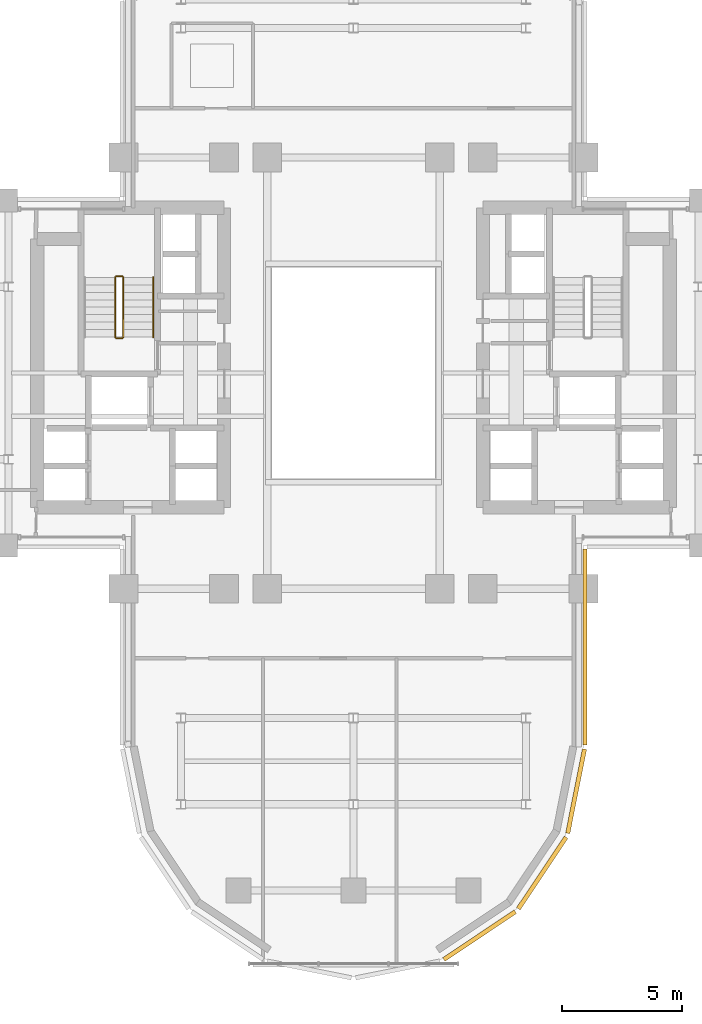
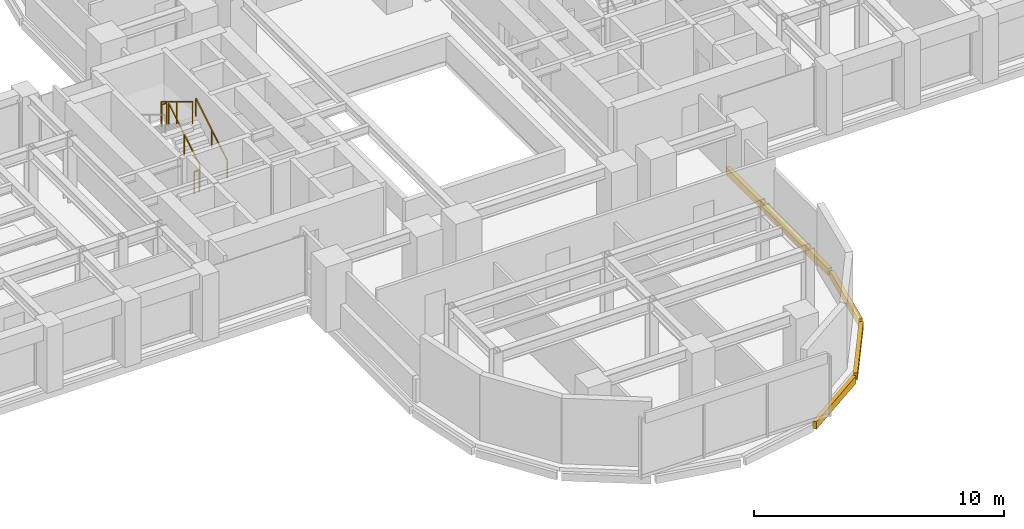
# One storey, part 14 of 16: 5 railings, 4 coverings.
"""IFC4 building model written with IfcOpenShell, lengths in metres."""

from ifc_helpers import new_model, si_unit, direction, frame, origin, origin_2d, place, context, subcontext, project, spatial, rectangle, extrude, source, transform, mapped, material, layer, layer_set, type_object, element, save


model = new_model("IFC4")

# Units and contexts
model_context = context("Model", 3, precision=1e-05, world=origin(), true_north=direction((0.0, 1.0)))
body_context = subcontext(model_context, "Body", "Model", "MODEL_VIEW")
ifc_project = project(units=[si_unit("LENGTHUNIT", "METRE"), si_unit("AREAUNIT", "SQUARE_METRE"), si_unit("VOLUMEUNIT", "CUBIC_METRE"), si_unit("PLANEANGLEUNIT", "RADIAN"), si_unit("MASSUNIT", "GRAM", prefix="KILO")], contexts=[model_context])

# Site, building, storey
site_placement = place(None, origin())
site = spatial("IfcSite", under=ifc_project, at=site_placement, CompositionType="ELEMENT")
building_placement = place(site_placement, origin())
building = spatial("IfcBuilding", under=site, at=building_placement, Name="Keilestroom Media Tower", CompositionType="ELEMENT")
storey_placement = place(building_placement, frame((0.0, 0.0, 51.0)))
storey = spatial("IfcBuildingStorey", under=building, at=storey_placement, Name="L12", CompositionType="ELEMENT", Elevation=51.0)

# Railings
ifc_material_1 = material(Name="Brushed Stainless Steel 1.4301", Category="steel")
railing_type_1 = type_object("IfcRailingType", Name="Stair-Pitch-Handrail-920", PredefinedType="HANDRAIL", material=ifc_material_1)
railing_1_placement = place(storey_placement, frame((-8.35009765625, 1.5, 0.18896484375)))
element("IfcRailing", 1, at=railing_1_placement, inside=storey, type_object=railing_type_1, Name="L12 ST-1 stair handrail 1", PredefinedType="HANDRAIL", context=body_context, shape_type="SweptSolid", body=[
    extrude(rectangle(XDim=0.048095703125, YDim=0.048095703125, at=origin_2d()), frame((0.0, 0.0, 0.8759765625), z_axis=(0.0, 0.855470815493, 0.517851024754), x_axis=(-1.0, 0.0, 0.0)), (0.0, 0.0, 1.0), 2.917724609375),
    extrude(rectangle(XDim=0.0419921875, YDim=0.0419921875, at=origin_2d()), origin(), (0.0, 0.0, 1.0), 0.84375),
    extrude(rectangle(XDim=0.0419921875, YDim=0.0419921875, at=origin_2d()), frame((0.0, 1.248046875, 0.75537109375)), (0.0, 0.0, 1.0), 0.84375),
    extrude(rectangle(XDim=0.0419921875, YDim=0.0419921875, at=origin_2d()), frame((0.0, 2.49609375, 1.510986328125)), (0.0, 0.0, 1.0), 0.84375),
])
ifc_material_2 = material(Name="Painted Steel Balustrade", Category="steel")
railing_type_2 = type_object("IfcRailingType", Name="Stair-Well-And-Landing-Guard-1100", PredefinedType="GUARDRAIL", material=ifc_material_2)
railing_2_placement = place(storey_placement, frame((-9.610107421875, 1.5, 0.18896484375)))
element("IfcRailing", 2, at=railing_2_placement, inside=storey, type_object=railing_type_2, Name="L12 ST-1 stair guard 1", PredefinedType="GUARDRAIL", context=body_context, shape_type="SweptSolid", body=[
    extrude(rectangle(XDim=0.048095703125, YDim=0.048095703125, at=origin_2d()), frame((0.0, 0.0, 1.076171875), z_axis=(0.0, 0.855470815493, 0.517851024754), x_axis=(-1.0, 0.0, 0.0)), (0.0, 0.0, 1.0), 2.917724609375),
    extrude(rectangle(XDim=0.0419921875, YDim=0.0419921875, at=origin_2d()), origin(), (0.0, 0.0, 1.0), 1.0439453125),
    extrude(rectangle(XDim=0.0419921875, YDim=0.0419921875, at=origin_2d()), frame((0.0, 1.248046875, 0.75537109375)), (0.0, 0.0, 1.0), 1.0439453125),
    extrude(rectangle(XDim=0.0419921875, YDim=0.0419921875, at=origin_2d()), frame((0.0, 2.49609375, 1.510986328125)), (0.0, 0.0, 1.0), 1.0439453125),
])
railing_3_placement = place(storey_placement, frame((-9.659912109375, 4.0458984375, 1.699951171875)))
element("IfcRailing", 3, at=railing_3_placement, inside=storey, type_object=railing_type_2, Name="L12 ST-1 stair guard 2", PredefinedType="GUARDRAIL", context=body_context, shape_type="SweptSolid", body=[
    extrude(rectangle(XDim=0.048095703125, YDim=0.048095703125, at=origin_2d()), frame((0.0, 0.0, 1.076171875), z_axis=(-1.0, 0.0, 0.0), x_axis=(0.0, -1.0, 0.0)), (0.0, 0.0, 1.0), 0.239990234375),
    extrude(rectangle(XDim=0.0419921875, YDim=0.0419921875, at=origin_2d()), origin(), (0.0, 0.0, 1.0), 1.0439453125),
    extrude(rectangle(XDim=0.0419921875, YDim=0.0419921875, at=origin_2d()), frame((-0.239990234375, 0.0, 0.0)), (0.0, 0.0, 1.0), 1.0439453125),
])
railing_4_placement = place(storey_placement, frame((-9.949951171875, 3.99609375, 1.888916015625)))
element("IfcRailing", 4, at=railing_4_placement, inside=storey, type_object=railing_type_2, Name="L12 ST-1 stair guard 3", PredefinedType="GUARDRAIL", context=body_context, shape_type="SweptSolid", body=[
    extrude(rectangle(XDim=0.048095703125, YDim=0.048095703125, at=origin_2d()), frame((0.0, 0.0, 1.076171875), z_axis=(0.0, -0.855470815493, 0.517851024754), x_axis=(1.0, 0.0, 0.0)), (0.0, 0.0, 1.0), 2.917724609375),
    extrude(rectangle(XDim=0.0419921875, YDim=0.0419921875, at=origin_2d()), origin(), (0.0, 0.0, 1.0), 1.0439453125),
    extrude(rectangle(XDim=0.0419921875, YDim=0.0419921875, at=origin_2d()), frame((0.0, -1.248046875, 0.75537109375)), (0.0, 0.0, 1.0), 1.0439453125),
    extrude(rectangle(XDim=0.0419921875, YDim=0.0419921875, at=origin_2d()), frame((0.0, -2.49609375, 1.510986328125)), (0.0, 0.0, 1.0), 1.0439453125),
])
railing_5_placement = place(storey_placement, frame((-9.659912109375, 1.449951171875, 0.0)))
element("IfcRailing", 5, at=railing_5_placement, inside=storey, type_object=railing_type_2, Name="L12 ST-1 stair guard 4", PredefinedType="GUARDRAIL", context=body_context, shape_type="SweptSolid", body=[
    extrude(rectangle(XDim=0.048095703125, YDim=0.048095703125, at=origin_2d()), frame((0.0, 0.0, 1.076171875), z_axis=(-1.0, 0.0, 0.0), x_axis=(0.0, -1.0, 0.0)), (0.0, 0.0, 1.0), 0.239990234375),
    extrude(rectangle(XDim=0.0419921875, YDim=0.0419921875, at=origin_2d()), origin(), (0.0, 0.0, 1.0), 1.0439453125),
    extrude(rectangle(XDim=0.0419921875, YDim=0.0419921875, at=origin_2d()), frame((-0.239990234375, 0.0, 0.0)), (0.0, 0.0, 1.0), 1.0439453125),
])

# Coverings
ifc_material_3 = material(Name="Precast concrete C40/50", Category="concrete")
ifc_layer = layer(ifc_material_3, 0.1201171875)
ifc_layer_set = layer_set([ifc_layer], Name="Precast concrete C40/50")
covering_type = type_object("IfcCoveringType", Name="Exterior-Precast-Spandrel-Cladding-Panel-120", PredefinedType="CLADDING", material=ifc_layer_set)
shared_shape_1 = source(origin(), body_context, "Body", "SweptSolid", [
    extrude(rectangle(XDim=8.166015625, YDim=0.179931640625, at=origin_2d()), origin(), (0.0, 0.0, 1.0), 0.360107421875),
])
covering_1_placement = place(storey_placement, frame((9.659912109375, -11.43310546875, -0.5400390625), z_axis=(0.0, 0.0, 1.0), x_axis=(0.0, -1.0, 0.0)))
element("IfcCovering", 6, at=covering_1_placement, inside=storey, type_object=covering_type, Name="L12 Precast Slab-Edge Fascia Cornice 06", PredefinedType="CLADDING", context=body_context, shape_type="MappedRepresentation", body=[
    mapped(shared_shape_1, transform((0.0, 0.0, 0.0), x_axis=(1.0, 0.0, 0.0), y_axis=(0.0, 1.0, 0.0), z_axis=(0.0, 0.0, 1.0), scale=1.0)),
])
shared_shape_2 = source(origin(), body_context, "Body", "SweptSolid", [
    extrude(rectangle(XDim=3.58349609375, YDim=0.179931640625, at=origin_2d()), origin(), (0.0, 0.0, 1.0), 0.360107421875),
])
covering_2_placement = place(storey_placement, frame((9.29296875, -17.45166015625, -0.5400390625), z_axis=(0.0, 0.0, 1.0), x_axis=(-0.195098880975, -0.980783577882, 0.0)))
element("IfcCovering", 7, at=covering_2_placement, inside=storey, type_object=covering_type, Name="L12 Precast Slab-Edge Fascia Cornice 07", PredefinedType="CLADDING", context=body_context, shape_type="MappedRepresentation", body=[
    mapped(shared_shape_2, transform((0.0, 0.0, 0.0), x_axis=(1.0, 0.0, 0.0), y_axis=(0.0, 1.0, 0.0), z_axis=(0.0, 0.0, 1.0), scale=1.0)),
])
shared_shape_3 = source(origin(), body_context, "Body", "SweptSolid", [
    extrude(rectangle(XDim=3.589599609375, YDim=0.179931640625, at=origin_2d()), origin(), (0.0, 0.0, 1.0), 0.360107421875),
])
for number, where, z_axis, x_axis, name in (
    (8, (7.878662109375, -20.8642578125, -0.5400390625), (0.0, 0.0, 1.0), (-0.555574586577, -0.831466703332, 0.0), "L12 Precast Slab-Edge Fascia Cornice 08"),
    (9, (5.264404296875, -23.478515625, -0.5400390625), (0.0, 0.0, 1.0), (-0.831466703332, -0.555574586577, 0.0), "L12 Precast Slab-Edge Fascia Cornice 09"),
):
    element("IfcCovering", number, at=place(storey_placement, frame(where, z_axis=z_axis, x_axis=x_axis)), inside=storey, type_object=covering_type, Name=name, PredefinedType="CLADDING", context=body_context, shape_type="MappedRepresentation", body=[
        mapped(shared_shape_3, transform((0.0, 0.0, 0.0), x_axis=(1.0, 0.0, 0.0), y_axis=(0.0, 1.0, 0.0), z_axis=(0.0, 0.0, 1.0), scale=1.0)),
    ])

save(model, "model.ifc")
